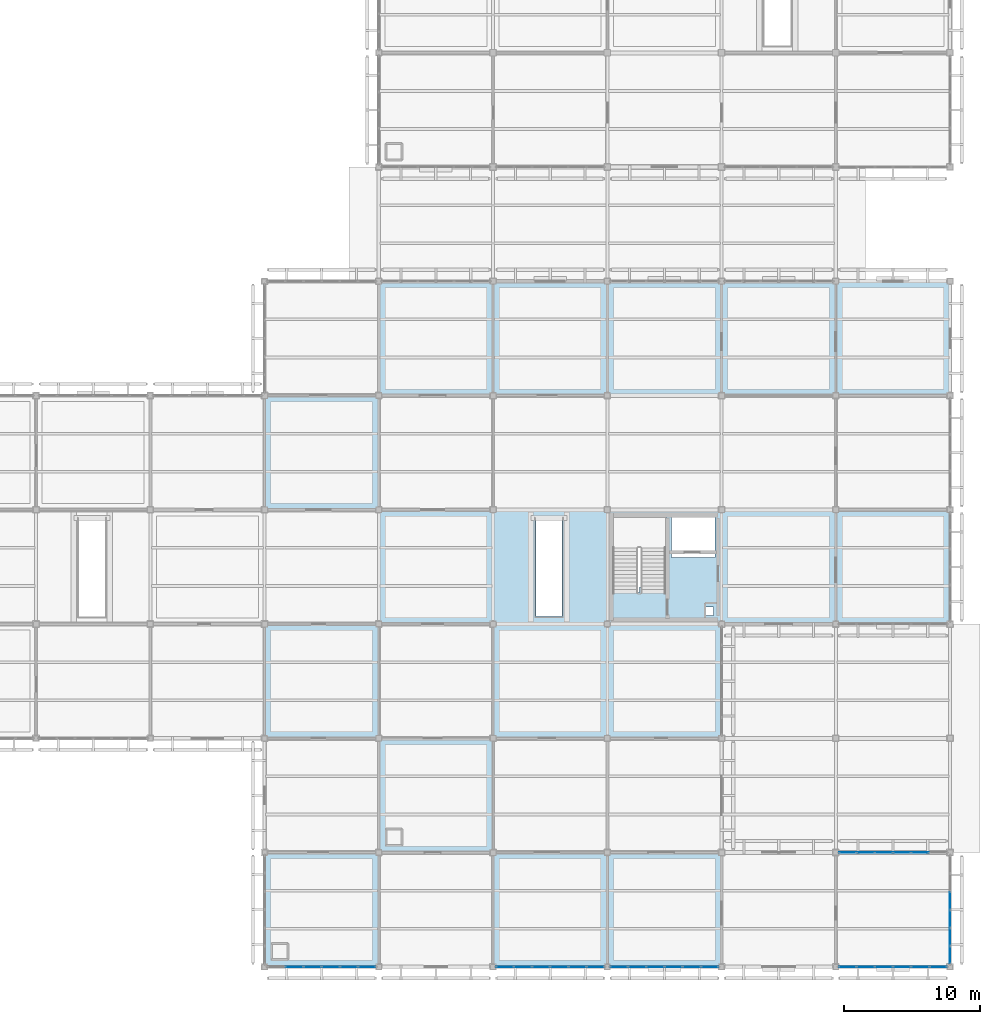
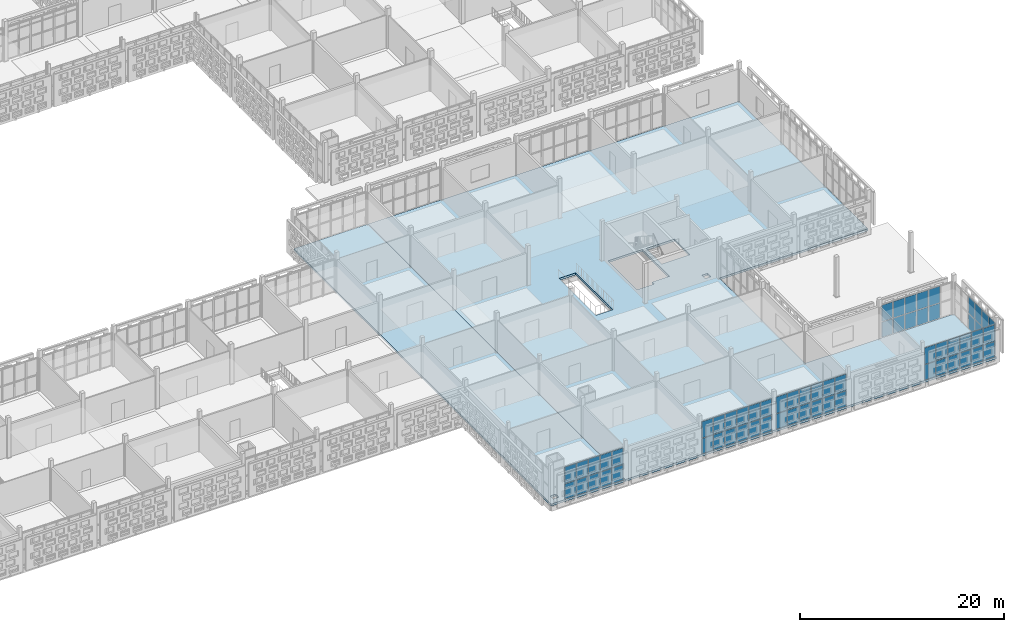
# One storey, part 102 of 203: 64 plates, 2 slabs, 6 elements without a shape of their own.
"""IFC4 building model written with IfcOpenShell, lengths in metres."""

from ifc_helpers import new_model, si_unit, direction, frame, origin, origin_2d, place, context, subcontext, project, spatial, polyline, rectangle, outline, extrude, material, layer, layer_set, type_object, element, aggregate, save


model = new_model("IFC4")

# Units and contexts
model_context = context("Model", 3, precision=1e-05, world=origin(), true_north=direction((0.0, 1.0)))
body_context = subcontext(model_context, "Body", "Model", "MODEL_VIEW")
ifc_project = project(units=[si_unit("LENGTHUNIT", "METRE"), si_unit("AREAUNIT", "SQUARE_METRE"), si_unit("VOLUMEUNIT", "CUBIC_METRE"), si_unit("PLANEANGLEUNIT", "RADIAN"), si_unit("MASSUNIT", "GRAM", prefix="KILO")], contexts=[model_context])

# Site, building, storey
site_placement = place(None, origin())
site = spatial("IfcSite", under=ifc_project, at=site_placement, CompositionType="ELEMENT")
building_placement = place(site_placement, origin())
building = spatial("IfcBuilding", under=site, at=building_placement, Name="Varnapada Polytechnic", CompositionType="ELEMENT")
storey_placement = place(building_placement, frame((0.0, 0.0, 4.800048828125)))
storey = spatial("IfcBuildingStorey", under=building, at=storey_placement, Name="L01", CompositionType="ELEMENT", Elevation=4.800048828125)

# Curtain wall, plates
ifc_material_1 = material(Name="Double low-E laminated glass", Category="glass")
ifc_layer_1 = layer(ifc_material_1, 0.179931640625)
ifc_layer_set_1 = layer_set([ifc_layer_1], Name="Double low-E laminated glass")
curtain_wall_type = type_object("IfcCurtainWallType", Name="Curtain Wall CW-04", PredefinedType="NOTDEFINED", material=ifc_layer_set_1)
curtain_wall_1_placement = place(storey_placement, origin())
curtain_wall_1 = element("IfcCurtainWall", 1, at=curtain_wall_1_placement, inside=storey, type_object=curtain_wall_type, Name="L01 unitised curtain wall CW-04 (92)", PredefinedType="NOTDEFINED")
ifc_layer_2 = layer(ifc_material_1, 0.031982421875)
ifc_layer_set_2 = layer_set([ifc_layer_2], Name="Double low-E laminated glass")
plate_type = type_object("IfcPlateType", Name="Curtain Panel PNL-02", PredefinedType="CURTAIN_PANEL", material=ifc_layer_set_2)
plate_1_placement = place(storey_placement, frame((133.53369140625, 0.0, 0.06494140625), z_axis=(0.0, 0.0, 1.0), x_axis=(-1.0, 0.0, 0.0)))
plate_1 = element("IfcPlate", 2, at=plate_1_placement, type_object=plate_type, Name="CW-04 panel 1.1", PredefinedType="CURTAIN_PANEL", context=body_context, shape_type="SweptSolid", body=[
    extrude(rectangle(XDim=1.242431640625, YDim=0.031982421875, at=origin_2d()), origin(), (0.0, 0.0, 1.0), 1.80322265625),
])
plate_2_placement = place(storey_placement, frame((133.53369140625, 0.0, 1.93310546875), z_axis=(0.0, 0.0, 1.0), x_axis=(-1.0, 0.0, 0.0)))
plate_2 = element("IfcPlate", 3, at=plate_2_placement, type_object=plate_type, Name="CW-04 panel 1.2", PredefinedType="CURTAIN_PANEL", context=body_context, shape_type="SweptSolid", body=[
    extrude(rectangle(XDim=1.242431640625, YDim=0.031982421875, at=origin_2d()), origin(), (0.0, 0.0, 1.0), 1.961669921875),
])
plate_3_placement = place(storey_placement, frame((132.2099609375, 0.0, 0.06494140625), z_axis=(0.0, 0.0, 1.0), x_axis=(-1.0, 0.0, 0.0)))
plate_3 = element("IfcPlate", 4, at=plate_3_placement, type_object=plate_type, Name="CW-04 panel 2.1", PredefinedType="CURTAIN_PANEL", context=body_context, shape_type="SweptSolid", body=[
    extrude(rectangle(XDim=1.27490234375, YDim=0.031982421875, at=origin_2d()), origin(), (0.0, 0.0, 1.0), 1.80322265625),
])
plate_4_placement = place(storey_placement, frame((132.2099609375, 0.0, 1.93310546875), z_axis=(0.0, 0.0, 1.0), x_axis=(-1.0, 0.0, 0.0)))
plate_4 = element("IfcPlate", 5, at=plate_4_placement, type_object=plate_type, Name="CW-04 panel 2.2", PredefinedType="CURTAIN_PANEL", context=body_context, shape_type="SweptSolid", body=[
    extrude(rectangle(XDim=1.27490234375, YDim=0.031982421875, at=origin_2d()), origin(), (0.0, 0.0, 1.0), 1.961669921875),
])
plate_5_placement = place(storey_placement, frame((130.8701171875, 0.0, 0.06494140625), z_axis=(0.0, 0.0, 1.0), x_axis=(-1.0, 0.0, 0.0)))
plate_5 = element("IfcPlate", 6, at=plate_5_placement, type_object=plate_type, Name="CW-04 panel 3.1", PredefinedType="CURTAIN_PANEL", context=body_context, shape_type="SweptSolid", body=[
    extrude(rectangle(XDim=1.27490234375, YDim=0.031982421875, at=origin_2d()), origin(), (0.0, 0.0, 1.0), 1.80322265625),
])
plate_6_placement = place(storey_placement, frame((130.8701171875, 0.0, 1.93310546875), z_axis=(0.0, 0.0, 1.0), x_axis=(-1.0, 0.0, 0.0)))
plate_6 = element("IfcPlate", 7, at=plate_6_placement, type_object=plate_type, Name="CW-04 panel 3.2", PredefinedType="CURTAIN_PANEL", context=body_context, shape_type="SweptSolid", body=[
    extrude(rectangle(XDim=1.27490234375, YDim=0.031982421875, at=origin_2d()), origin(), (0.0, 0.0, 1.0), 1.961669921875),
])
plate_7_placement = place(storey_placement, frame((129.530029296875, 0.0, 0.06494140625), z_axis=(0.0, 0.0, 1.0), x_axis=(-1.0, 0.0, 0.0)))
plate_7 = element("IfcPlate", 8, at=plate_7_placement, type_object=plate_type, Name="CW-04 panel 4.1", PredefinedType="CURTAIN_PANEL", context=body_context, shape_type="SweptSolid", body=[
    extrude(rectangle(XDim=1.27490234375, YDim=0.031982421875, at=origin_2d()), origin(), (0.0, 0.0, 1.0), 1.80322265625),
])
plate_8_placement = place(storey_placement, frame((129.530029296875, 0.0, 1.93310546875), z_axis=(0.0, 0.0, 1.0), x_axis=(-1.0, 0.0, 0.0)))
plate_8 = element("IfcPlate", 9, at=plate_8_placement, type_object=plate_type, Name="CW-04 panel 4.2", PredefinedType="CURTAIN_PANEL", context=body_context, shape_type="SweptSolid", body=[
    extrude(rectangle(XDim=1.27490234375, YDim=0.031982421875, at=origin_2d()), origin(), (0.0, 0.0, 1.0), 1.961669921875),
])
plate_9_placement = place(storey_placement, frame((128.18994140625, 0.0, 0.06494140625), z_axis=(0.0, 0.0, 1.0), x_axis=(-1.0, 0.0, 0.0)))
plate_9 = element("IfcPlate", 10, at=plate_9_placement, type_object=plate_type, Name="CW-04 panel 5.1", PredefinedType="CURTAIN_PANEL", context=body_context, shape_type="SweptSolid", body=[
    extrude(rectangle(XDim=1.27490234375, YDim=0.031982421875, at=origin_2d()), origin(), (0.0, 0.0, 1.0), 1.80322265625),
])
plate_10_placement = place(storey_placement, frame((128.18994140625, 0.0, 1.93310546875), z_axis=(0.0, 0.0, 1.0), x_axis=(-1.0, 0.0, 0.0)))
plate_10 = element("IfcPlate", 11, at=plate_10_placement, type_object=plate_type, Name="CW-04 panel 5.2", PredefinedType="CURTAIN_PANEL", context=body_context, shape_type="SweptSolid", body=[
    extrude(rectangle(XDim=1.27490234375, YDim=0.031982421875, at=origin_2d()), origin(), (0.0, 0.0, 1.0), 1.961669921875),
])
aggregate(curtain_wall_1, [plate_1, plate_2, plate_3, plate_4, plate_5, plate_6, plate_7, plate_8, plate_9, plate_10])

curtain_wall_2_placement = place(storey_placement, origin())
curtain_wall_2 = element("IfcCurtainWall", 12, at=curtain_wall_2_placement, inside=storey, type_object=curtain_wall_type, Name="L01 unitised curtain wall CW-04 (106)", PredefinedType="NOTDEFINED")
plate_11_placement = place(storey_placement, frame((150.333740234375, 0.0, 0.06494140625), z_axis=(0.0, 0.0, 1.0), x_axis=(-1.0, 0.0, 0.0)))
plate_11 = element("IfcPlate", 13, at=plate_11_placement, type_object=plate_type, Name="CW-04 panel 1.1", PredefinedType="CURTAIN_PANEL", context=body_context, shape_type="SweptSolid", body=[
    extrude(rectangle(XDim=1.242431640625, YDim=0.031982421875, at=origin_2d()), origin(), (0.0, 0.0, 1.0), 1.80322265625),
])
plate_12_placement = place(storey_placement, frame((150.333740234375, 0.0, 1.93310546875), z_axis=(0.0, 0.0, 1.0), x_axis=(-1.0, 0.0, 0.0)))
plate_12 = element("IfcPlate", 14, at=plate_12_placement, type_object=plate_type, Name="CW-04 panel 1.2", PredefinedType="CURTAIN_PANEL", context=body_context, shape_type="SweptSolid", body=[
    extrude(rectangle(XDim=1.242431640625, YDim=0.031982421875, at=origin_2d()), origin(), (0.0, 0.0, 1.0), 1.961669921875),
])
plate_13_placement = place(storey_placement, frame((149.010009765625, 0.0, 0.06494140625), z_axis=(0.0, 0.0, 1.0), x_axis=(-1.0, 0.0, 0.0)))
plate_13 = element("IfcPlate", 15, at=plate_13_placement, type_object=plate_type, Name="CW-04 panel 2.1", PredefinedType="CURTAIN_PANEL", context=body_context, shape_type="SweptSolid", body=[
    extrude(rectangle(XDim=1.27490234375, YDim=0.031982421875, at=origin_2d()), origin(), (0.0, 0.0, 1.0), 1.80322265625),
])
plate_14_placement = place(storey_placement, frame((149.010009765625, 0.0, 1.93310546875), z_axis=(0.0, 0.0, 1.0), x_axis=(-1.0, 0.0, 0.0)))
plate_14 = element("IfcPlate", 16, at=plate_14_placement, type_object=plate_type, Name="CW-04 panel 2.2", PredefinedType="CURTAIN_PANEL", context=body_context, shape_type="SweptSolid", body=[
    extrude(rectangle(XDim=1.27490234375, YDim=0.031982421875, at=origin_2d()), origin(), (0.0, 0.0, 1.0), 1.961669921875),
])
plate_15_placement = place(storey_placement, frame((147.669921875, 0.0, 0.06494140625), z_axis=(0.0, 0.0, 1.0), x_axis=(-1.0, 0.0, 0.0)))
plate_15 = element("IfcPlate", 17, at=plate_15_placement, type_object=plate_type, Name="CW-04 panel 3.1", PredefinedType="CURTAIN_PANEL", context=body_context, shape_type="SweptSolid", body=[
    extrude(rectangle(XDim=1.27490234375, YDim=0.031982421875, at=origin_2d()), origin(), (0.0, 0.0, 1.0), 1.80322265625),
])
plate_16_placement = place(storey_placement, frame((147.669921875, 0.0, 1.93310546875), z_axis=(0.0, 0.0, 1.0), x_axis=(-1.0, 0.0, 0.0)))
plate_16 = element("IfcPlate", 18, at=plate_16_placement, type_object=plate_type, Name="CW-04 panel 3.2", PredefinedType="CURTAIN_PANEL", context=body_context, shape_type="SweptSolid", body=[
    extrude(rectangle(XDim=1.27490234375, YDim=0.031982421875, at=origin_2d()), origin(), (0.0, 0.0, 1.0), 1.961669921875),
])
plate_17_placement = place(storey_placement, frame((146.330078125, 0.0, 0.06494140625), z_axis=(0.0, 0.0, 1.0), x_axis=(-1.0, 0.0, 0.0)))
plate_17 = element("IfcPlate", 19, at=plate_17_placement, type_object=plate_type, Name="CW-04 panel 4.1", PredefinedType="CURTAIN_PANEL", context=body_context, shape_type="SweptSolid", body=[
    extrude(rectangle(XDim=1.27490234375, YDim=0.031982421875, at=origin_2d()), origin(), (0.0, 0.0, 1.0), 1.80322265625),
])
plate_18_placement = place(storey_placement, frame((146.330078125, 0.0, 1.93310546875), z_axis=(0.0, 0.0, 1.0), x_axis=(-1.0, 0.0, 0.0)))
plate_18 = element("IfcPlate", 20, at=plate_18_placement, type_object=plate_type, Name="CW-04 panel 4.2", PredefinedType="CURTAIN_PANEL", context=body_context, shape_type="SweptSolid", body=[
    extrude(rectangle(XDim=1.27490234375, YDim=0.031982421875, at=origin_2d()), origin(), (0.0, 0.0, 1.0), 1.961669921875),
])
plate_19_placement = place(storey_placement, frame((144.989990234375, 0.0, 0.06494140625), z_axis=(0.0, 0.0, 1.0), x_axis=(-1.0, 0.0, 0.0)))
plate_19 = element("IfcPlate", 21, at=plate_19_placement, type_object=plate_type, Name="CW-04 panel 5.1", PredefinedType="CURTAIN_PANEL", context=body_context, shape_type="SweptSolid", body=[
    extrude(rectangle(XDim=1.27490234375, YDim=0.031982421875, at=origin_2d()), origin(), (0.0, 0.0, 1.0), 1.80322265625),
])
plate_20_placement = place(storey_placement, frame((144.989990234375, 0.0, 1.93310546875), z_axis=(0.0, 0.0, 1.0), x_axis=(-1.0, 0.0, 0.0)))
plate_20 = element("IfcPlate", 22, at=plate_20_placement, type_object=plate_type, Name="CW-04 panel 5.2", PredefinedType="CURTAIN_PANEL", context=body_context, shape_type="SweptSolid", body=[
    extrude(rectangle(XDim=1.27490234375, YDim=0.031982421875, at=origin_2d()), origin(), (0.0, 0.0, 1.0), 1.961669921875),
])
plate_21_placement = place(storey_placement, frame((143.666259765625, 0.0, 0.06494140625), z_axis=(0.0, 0.0, 1.0), x_axis=(-1.0, 0.0, 0.0)))
plate_21 = element("IfcPlate", 23, at=plate_21_placement, type_object=plate_type, Name="CW-04 panel 6.1", PredefinedType="CURTAIN_PANEL", context=body_context, shape_type="SweptSolid", body=[
    extrude(rectangle(XDim=1.242431640625, YDim=0.031982421875, at=origin_2d()), origin(), (0.0, 0.0, 1.0), 1.80322265625),
])
plate_22_placement = place(storey_placement, frame((143.666259765625, 0.0, 1.93310546875), z_axis=(0.0, 0.0, 1.0), x_axis=(-1.0, 0.0, 0.0)))
plate_22 = element("IfcPlate", 24, at=plate_22_placement, type_object=plate_type, Name="CW-04 panel 6.2", PredefinedType="CURTAIN_PANEL", context=body_context, shape_type="SweptSolid", body=[
    extrude(rectangle(XDim=1.242431640625, YDim=0.031982421875, at=origin_2d()), origin(), (0.0, 0.0, 1.0), 1.961669921875),
])
aggregate(curtain_wall_2, [plate_11, plate_12, plate_13, plate_14, plate_15, plate_16, plate_17, plate_18, plate_19, plate_20, plate_21, plate_22])

curtain_wall_3_placement = place(storey_placement, origin())
curtain_wall_3 = element("IfcCurtainWall", 25, at=curtain_wall_3_placement, inside=storey, type_object=curtain_wall_type, Name="L01 unitised curtain wall CW-04 (109)", PredefinedType="NOTDEFINED")
plate_23_placement = place(storey_placement, frame((158.733642578125, 0.0, 0.06494140625), z_axis=(0.0, 0.0, 1.0), x_axis=(-1.0, 0.0, 0.0)))
plate_23 = element("IfcPlate", 26, at=plate_23_placement, type_object=plate_type, Name="CW-04 panel 1.1", PredefinedType="CURTAIN_PANEL", context=body_context, shape_type="SweptSolid", body=[
    extrude(rectangle(XDim=1.242431640625, YDim=0.031982421875, at=origin_2d()), origin(), (0.0, 0.0, 1.0), 1.80322265625),
])
plate_24_placement = place(storey_placement, frame((158.733642578125, 0.0, 1.93310546875), z_axis=(0.0, 0.0, 1.0), x_axis=(-1.0, 0.0, 0.0)))
plate_24 = element("IfcPlate", 27, at=plate_24_placement, type_object=plate_type, Name="CW-04 panel 1.2", PredefinedType="CURTAIN_PANEL", context=body_context, shape_type="SweptSolid", body=[
    extrude(rectangle(XDim=1.242431640625, YDim=0.031982421875, at=origin_2d()), origin(), (0.0, 0.0, 1.0), 1.961669921875),
])
plate_25_placement = place(storey_placement, frame((157.409912109375, 0.0, 0.06494140625), z_axis=(0.0, 0.0, 1.0), x_axis=(-1.0, 0.0, 0.0)))
plate_25 = element("IfcPlate", 28, at=plate_25_placement, type_object=plate_type, Name="CW-04 panel 2.1", PredefinedType="CURTAIN_PANEL", context=body_context, shape_type="SweptSolid", body=[
    extrude(rectangle(XDim=1.27490234375, YDim=0.031982421875, at=origin_2d()), origin(), (0.0, 0.0, 1.0), 1.80322265625),
])
plate_26_placement = place(storey_placement, frame((157.409912109375, 0.0, 1.93310546875), z_axis=(0.0, 0.0, 1.0), x_axis=(-1.0, 0.0, 0.0)))
plate_26 = element("IfcPlate", 29, at=plate_26_placement, type_object=plate_type, Name="CW-04 panel 2.2", PredefinedType="CURTAIN_PANEL", context=body_context, shape_type="SweptSolid", body=[
    extrude(rectangle(XDim=1.27490234375, YDim=0.031982421875, at=origin_2d()), origin(), (0.0, 0.0, 1.0), 1.961669921875),
])
plate_27_placement = place(storey_placement, frame((156.070068359375, 0.0, 0.06494140625), z_axis=(0.0, 0.0, 1.0), x_axis=(-1.0, 0.0, 0.0)))
plate_27 = element("IfcPlate", 30, at=plate_27_placement, type_object=plate_type, Name="CW-04 panel 3.1", PredefinedType="CURTAIN_PANEL", context=body_context, shape_type="SweptSolid", body=[
    extrude(rectangle(XDim=1.27490234375, YDim=0.031982421875, at=origin_2d()), origin(), (0.0, 0.0, 1.0), 1.80322265625),
])
plate_28_placement = place(storey_placement, frame((156.070068359375, 0.0, 1.93310546875), z_axis=(0.0, 0.0, 1.0), x_axis=(-1.0, 0.0, 0.0)))
plate_28 = element("IfcPlate", 31, at=plate_28_placement, type_object=plate_type, Name="CW-04 panel 3.2", PredefinedType="CURTAIN_PANEL", context=body_context, shape_type="SweptSolid", body=[
    extrude(rectangle(XDim=1.27490234375, YDim=0.031982421875, at=origin_2d()), origin(), (0.0, 0.0, 1.0), 1.961669921875),
])
plate_29_placement = place(storey_placement, frame((154.72998046875, 0.0, 0.06494140625), z_axis=(0.0, 0.0, 1.0), x_axis=(-1.0, 0.0, 0.0)))
plate_29 = element("IfcPlate", 32, at=plate_29_placement, type_object=plate_type, Name="CW-04 panel 4.1", PredefinedType="CURTAIN_PANEL", context=body_context, shape_type="SweptSolid", body=[
    extrude(rectangle(XDim=1.27490234375, YDim=0.031982421875, at=origin_2d()), origin(), (0.0, 0.0, 1.0), 1.80322265625),
])
plate_30_placement = place(storey_placement, frame((154.72998046875, 0.0, 1.93310546875), z_axis=(0.0, 0.0, 1.0), x_axis=(-1.0, 0.0, 0.0)))
plate_30 = element("IfcPlate", 33, at=plate_30_placement, type_object=plate_type, Name="CW-04 panel 4.2", PredefinedType="CURTAIN_PANEL", context=body_context, shape_type="SweptSolid", body=[
    extrude(rectangle(XDim=1.27490234375, YDim=0.031982421875, at=origin_2d()), origin(), (0.0, 0.0, 1.0), 1.961669921875),
])
plate_31_placement = place(storey_placement, frame((153.389892578125, 0.0, 0.06494140625), z_axis=(0.0, 0.0, 1.0), x_axis=(-1.0, 0.0, 0.0)))
plate_31 = element("IfcPlate", 34, at=plate_31_placement, type_object=plate_type, Name="CW-04 panel 5.1", PredefinedType="CURTAIN_PANEL", context=body_context, shape_type="SweptSolid", body=[
    extrude(rectangle(XDim=1.27490234375, YDim=0.031982421875, at=origin_2d()), origin(), (0.0, 0.0, 1.0), 1.80322265625),
])
plate_32_placement = place(storey_placement, frame((153.389892578125, 0.0, 1.93310546875), z_axis=(0.0, 0.0, 1.0), x_axis=(-1.0, 0.0, 0.0)))
plate_32 = element("IfcPlate", 35, at=plate_32_placement, type_object=plate_type, Name="CW-04 panel 5.2", PredefinedType="CURTAIN_PANEL", context=body_context, shape_type="SweptSolid", body=[
    extrude(rectangle(XDim=1.27490234375, YDim=0.031982421875, at=origin_2d()), origin(), (0.0, 0.0, 1.0), 1.961669921875),
])
plate_33_placement = place(storey_placement, frame((152.066162109375, 0.0, 0.06494140625), z_axis=(0.0, 0.0, 1.0), x_axis=(-1.0, 0.0, 0.0)))
plate_33 = element("IfcPlate", 36, at=plate_33_placement, type_object=plate_type, Name="CW-04 panel 6.1", PredefinedType="CURTAIN_PANEL", context=body_context, shape_type="SweptSolid", body=[
    extrude(rectangle(XDim=1.242431640625, YDim=0.031982421875, at=origin_2d()), origin(), (0.0, 0.0, 1.0), 1.80322265625),
])
plate_34_placement = place(storey_placement, frame((152.066162109375, 0.0, 1.93310546875), z_axis=(0.0, 0.0, 1.0), x_axis=(-1.0, 0.0, 0.0)))
plate_34 = element("IfcPlate", 37, at=plate_34_placement, type_object=plate_type, Name="CW-04 panel 6.2", PredefinedType="CURTAIN_PANEL", context=body_context, shape_type="SweptSolid", body=[
    extrude(rectangle(XDim=1.242431640625, YDim=0.031982421875, at=origin_2d()), origin(), (0.0, 0.0, 1.0), 1.961669921875),
])
aggregate(curtain_wall_3, [plate_23, plate_24, plate_25, plate_26, plate_27, plate_28, plate_29, plate_30, plate_31, plate_32, plate_33, plate_34])

curtain_wall_4_placement = place(storey_placement, origin())
curtain_wall_4 = element("IfcCurtainWall", 38, at=curtain_wall_4_placement, inside=storey, type_object=curtain_wall_type, Name="L01 unitised curtain wall CW-04 (115)", PredefinedType="NOTDEFINED")
plate_35_placement = place(storey_placement, frame((175.53369140625, 0.0, 0.06494140625), z_axis=(0.0, 0.0, 1.0), x_axis=(-1.0, 0.0, 0.0)))
plate_35 = element("IfcPlate", 39, at=plate_35_placement, type_object=plate_type, Name="CW-04 panel 1.1", PredefinedType="CURTAIN_PANEL", context=body_context, shape_type="SweptSolid", body=[
    extrude(rectangle(XDim=1.242431640625, YDim=0.031982421875, at=origin_2d()), origin(), (0.0, 0.0, 1.0), 1.80322265625),
])
plate_36_placement = place(storey_placement, frame((175.53369140625, 0.0, 1.93310546875), z_axis=(0.0, 0.0, 1.0), x_axis=(-1.0, 0.0, 0.0)))
plate_36 = element("IfcPlate", 40, at=plate_36_placement, type_object=plate_type, Name="CW-04 panel 1.2", PredefinedType="CURTAIN_PANEL", context=body_context, shape_type="SweptSolid", body=[
    extrude(rectangle(XDim=1.242431640625, YDim=0.031982421875, at=origin_2d()), origin(), (0.0, 0.0, 1.0), 1.961669921875),
])
plate_37_placement = place(storey_placement, frame((174.2099609375, 0.0, 0.06494140625), z_axis=(0.0, 0.0, 1.0), x_axis=(-1.0, 0.0, 0.0)))
plate_37 = element("IfcPlate", 41, at=plate_37_placement, type_object=plate_type, Name="CW-04 panel 2.1", PredefinedType="CURTAIN_PANEL", context=body_context, shape_type="SweptSolid", body=[
    extrude(rectangle(XDim=1.27490234375, YDim=0.031982421875, at=origin_2d()), origin(), (0.0, 0.0, 1.0), 1.80322265625),
])
plate_38_placement = place(storey_placement, frame((174.2099609375, 0.0, 1.93310546875), z_axis=(0.0, 0.0, 1.0), x_axis=(-1.0, 0.0, 0.0)))
plate_38 = element("IfcPlate", 42, at=plate_38_placement, type_object=plate_type, Name="CW-04 panel 2.2", PredefinedType="CURTAIN_PANEL", context=body_context, shape_type="SweptSolid", body=[
    extrude(rectangle(XDim=1.27490234375, YDim=0.031982421875, at=origin_2d()), origin(), (0.0, 0.0, 1.0), 1.961669921875),
])
plate_39_placement = place(storey_placement, frame((172.8701171875, 0.0, 0.06494140625), z_axis=(0.0, 0.0, 1.0), x_axis=(-1.0, 0.0, 0.0)))
plate_39 = element("IfcPlate", 43, at=plate_39_placement, type_object=plate_type, Name="CW-04 panel 3.1", PredefinedType="CURTAIN_PANEL", context=body_context, shape_type="SweptSolid", body=[
    extrude(rectangle(XDim=1.27490234375, YDim=0.031982421875, at=origin_2d()), origin(), (0.0, 0.0, 1.0), 1.80322265625),
])
plate_40_placement = place(storey_placement, frame((172.8701171875, 0.0, 1.93310546875), z_axis=(0.0, 0.0, 1.0), x_axis=(-1.0, 0.0, 0.0)))
plate_40 = element("IfcPlate", 44, at=plate_40_placement, type_object=plate_type, Name="CW-04 panel 3.2", PredefinedType="CURTAIN_PANEL", context=body_context, shape_type="SweptSolid", body=[
    extrude(rectangle(XDim=1.27490234375, YDim=0.031982421875, at=origin_2d()), origin(), (0.0, 0.0, 1.0), 1.961669921875),
])
plate_41_placement = place(storey_placement, frame((171.530029296875, 0.0, 0.06494140625), z_axis=(0.0, 0.0, 1.0), x_axis=(-1.0, 0.0, 0.0)))
plate_41 = element("IfcPlate", 45, at=plate_41_placement, type_object=plate_type, Name="CW-04 panel 4.1", PredefinedType="CURTAIN_PANEL", context=body_context, shape_type="SweptSolid", body=[
    extrude(rectangle(XDim=1.27490234375, YDim=0.031982421875, at=origin_2d()), origin(), (0.0, 0.0, 1.0), 1.80322265625),
])
plate_42_placement = place(storey_placement, frame((171.530029296875, 0.0, 1.93310546875), z_axis=(0.0, 0.0, 1.0), x_axis=(-1.0, 0.0, 0.0)))
plate_42 = element("IfcPlate", 46, at=plate_42_placement, type_object=plate_type, Name="CW-04 panel 4.2", PredefinedType="CURTAIN_PANEL", context=body_context, shape_type="SweptSolid", body=[
    extrude(rectangle(XDim=1.27490234375, YDim=0.031982421875, at=origin_2d()), origin(), (0.0, 0.0, 1.0), 1.961669921875),
])
plate_43_placement = place(storey_placement, frame((170.18994140625, 0.0, 0.06494140625), z_axis=(0.0, 0.0, 1.0), x_axis=(-1.0, 0.0, 0.0)))
plate_43 = element("IfcPlate", 47, at=plate_43_placement, type_object=plate_type, Name="CW-04 panel 5.1", PredefinedType="CURTAIN_PANEL", context=body_context, shape_type="SweptSolid", body=[
    extrude(rectangle(XDim=1.27490234375, YDim=0.031982421875, at=origin_2d()), origin(), (0.0, 0.0, 1.0), 1.80322265625),
])
plate_44_placement = place(storey_placement, frame((170.18994140625, 0.0, 1.93310546875), z_axis=(0.0, 0.0, 1.0), x_axis=(-1.0, 0.0, 0.0)))
plate_44 = element("IfcPlate", 48, at=plate_44_placement, type_object=plate_type, Name="CW-04 panel 5.2", PredefinedType="CURTAIN_PANEL", context=body_context, shape_type="SweptSolid", body=[
    extrude(rectangle(XDim=1.27490234375, YDim=0.031982421875, at=origin_2d()), origin(), (0.0, 0.0, 1.0), 1.961669921875),
])
plate_45_placement = place(storey_placement, frame((168.8662109375, 0.0, 0.06494140625), z_axis=(0.0, 0.0, 1.0), x_axis=(-1.0, 0.0, 0.0)))
plate_45 = element("IfcPlate", 49, at=plate_45_placement, type_object=plate_type, Name="CW-04 panel 6.1", PredefinedType="CURTAIN_PANEL", context=body_context, shape_type="SweptSolid", body=[
    extrude(rectangle(XDim=1.242431640625, YDim=0.031982421875, at=origin_2d()), origin(), (0.0, 0.0, 1.0), 1.80322265625),
])
plate_46_placement = place(storey_placement, frame((168.8662109375, 0.0, 1.93310546875), z_axis=(0.0, 0.0, 1.0), x_axis=(-1.0, 0.0, 0.0)))
plate_46 = element("IfcPlate", 50, at=plate_46_placement, type_object=plate_type, Name="CW-04 panel 6.2", PredefinedType="CURTAIN_PANEL", context=body_context, shape_type="SweptSolid", body=[
    extrude(rectangle(XDim=1.242431640625, YDim=0.031982421875, at=origin_2d()), origin(), (0.0, 0.0, 1.0), 1.961669921875),
])
aggregate(curtain_wall_4, [plate_35, plate_36, plate_37, plate_38, plate_39, plate_40, plate_41, plate_42, plate_43, plate_44, plate_45, plate_46])

curtain_wall_5_placement = place(storey_placement, origin())
curtain_wall_5 = element("IfcCurtainWall", 51, at=curtain_wall_5_placement, inside=storey, type_object=curtain_wall_type, Name="L01 unitised curtain wall CW-04 (116)", PredefinedType="NOTDEFINED")
plate_47_placement = place(storey_placement, frame((168.873779296875, 8.39990234375, 0.06494140625), z_axis=(0.0, 0.0, 1.0), x_axis=(1.0, 0.0, 0.0)))
plate_47 = element("IfcPlate", 52, at=plate_47_placement, type_object=plate_type, Name="CW-04 panel 1.1", PredefinedType="CURTAIN_PANEL", context=body_context, shape_type="SweptSolid", body=[
    extrude(rectangle(XDim=1.237548828125, YDim=0.031982421875, at=origin_2d()), origin(), (0.0, 0.0, 1.0), 1.80322265625),
])
plate_48_placement = place(storey_placement, frame((168.873779296875, 8.39990234375, 1.93310546875), z_axis=(0.0, 0.0, 1.0), x_axis=(1.0, 0.0, 0.0)))
plate_48 = element("IfcPlate", 53, at=plate_48_placement, type_object=plate_type, Name="CW-04 panel 1.2", PredefinedType="CURTAIN_PANEL", context=body_context, shape_type="SweptSolid", body=[
    extrude(rectangle(XDim=1.237548828125, YDim=0.031982421875, at=origin_2d()), origin(), (0.0, 0.0, 1.0), 1.961669921875),
])
plate_49_placement = place(storey_placement, frame((170.1923828125, 8.39990234375, 0.06494140625), z_axis=(0.0, 0.0, 1.0), x_axis=(1.0, 0.0, 0.0)))
plate_49 = element("IfcPlate", 54, at=plate_49_placement, type_object=plate_type, Name="CW-04 panel 2.1", PredefinedType="CURTAIN_PANEL", context=body_context, shape_type="SweptSolid", body=[
    extrude(rectangle(XDim=1.27001953125, YDim=0.031982421875, at=origin_2d()), origin(), (0.0, 0.0, 1.0), 1.80322265625),
])
plate_50_placement = place(storey_placement, frame((170.1923828125, 8.39990234375, 1.93310546875), z_axis=(0.0, 0.0, 1.0), x_axis=(1.0, 0.0, 0.0)))
plate_50 = element("IfcPlate", 55, at=plate_50_placement, type_object=plate_type, Name="CW-04 panel 2.2", PredefinedType="CURTAIN_PANEL", context=body_context, shape_type="SweptSolid", body=[
    extrude(rectangle(XDim=1.27001953125, YDim=0.031982421875, at=origin_2d()), origin(), (0.0, 0.0, 1.0), 1.961669921875),
])
plate_51_placement = place(storey_placement, frame((171.527587890625, 8.39990234375, 0.06494140625), z_axis=(0.0, 0.0, 1.0), x_axis=(1.0, 0.0, 0.0)))
plate_51 = element("IfcPlate", 56, at=plate_51_placement, type_object=plate_type, Name="CW-04 panel 3.1", PredefinedType="CURTAIN_PANEL", context=body_context, shape_type="SweptSolid", body=[
    extrude(rectangle(XDim=1.27001953125, YDim=0.031982421875, at=origin_2d()), origin(), (0.0, 0.0, 1.0), 1.80322265625),
])
plate_52_placement = place(storey_placement, frame((171.527587890625, 8.39990234375, 1.93310546875), z_axis=(0.0, 0.0, 1.0), x_axis=(1.0, 0.0, 0.0)))
plate_52 = element("IfcPlate", 57, at=plate_52_placement, type_object=plate_type, Name="CW-04 panel 3.2", PredefinedType="CURTAIN_PANEL", context=body_context, shape_type="SweptSolid", body=[
    extrude(rectangle(XDim=1.27001953125, YDim=0.031982421875, at=origin_2d()), origin(), (0.0, 0.0, 1.0), 1.961669921875),
])
plate_53_placement = place(storey_placement, frame((172.862548828125, 8.39990234375, 0.06494140625), z_axis=(0.0, 0.0, 1.0), x_axis=(1.0, 0.0, 0.0)))
plate_53 = element("IfcPlate", 58, at=plate_53_placement, type_object=plate_type, Name="CW-04 panel 4.1", PredefinedType="CURTAIN_PANEL", context=body_context, shape_type="SweptSolid", body=[
    extrude(rectangle(XDim=1.27001953125, YDim=0.031982421875, at=origin_2d()), origin(), (0.0, 0.0, 1.0), 1.80322265625),
])
plate_54_placement = place(storey_placement, frame((172.862548828125, 8.39990234375, 1.93310546875), z_axis=(0.0, 0.0, 1.0), x_axis=(1.0, 0.0, 0.0)))
plate_54 = element("IfcPlate", 59, at=plate_54_placement, type_object=plate_type, Name="CW-04 panel 4.2", PredefinedType="CURTAIN_PANEL", context=body_context, shape_type="SweptSolid", body=[
    extrude(rectangle(XDim=1.27001953125, YDim=0.031982421875, at=origin_2d()), origin(), (0.0, 0.0, 1.0), 1.961669921875),
])
plate_55_placement = place(storey_placement, frame((174.197509765625, 8.39990234375, 0.06494140625), z_axis=(0.0, 0.0, 1.0), x_axis=(1.0, 0.0, 0.0)))
plate_55 = element("IfcPlate", 60, at=plate_55_placement, type_object=plate_type, Name="CW-04 panel 5.1", PredefinedType="CURTAIN_PANEL", context=body_context, shape_type="SweptSolid", body=[
    extrude(rectangle(XDim=1.27001953125, YDim=0.031982421875, at=origin_2d()), origin(), (0.0, 0.0, 1.0), 1.80322265625),
])
plate_56_placement = place(storey_placement, frame((174.197509765625, 8.39990234375, 1.93310546875), z_axis=(0.0, 0.0, 1.0), x_axis=(1.0, 0.0, 0.0)))
plate_56 = element("IfcPlate", 61, at=plate_56_placement, type_object=plate_type, Name="CW-04 panel 5.2", PredefinedType="CURTAIN_PANEL", context=body_context, shape_type="SweptSolid", body=[
    extrude(rectangle(XDim=1.27001953125, YDim=0.031982421875, at=origin_2d()), origin(), (0.0, 0.0, 1.0), 1.961669921875),
])
aggregate(curtain_wall_5, [plate_47, plate_48, plate_49, plate_50, plate_51, plate_52, plate_53, plate_54, plate_55, plate_56])

curtain_wall_6_placement = place(storey_placement, origin())
curtain_wall_6 = element("IfcCurtainWall", 62, at=curtain_wall_6_placement, inside=storey, type_object=curtain_wall_type, Name="L01 unitised curtain wall CW-04 (117)", PredefinedType="NOTDEFINED")
plate_57_placement = place(storey_placement, frame((176.39990234375, 4.8583984375, 0.06494140625), z_axis=(0.0, 0.0, 1.0), x_axis=(0.0, -1.0, 0.0)))
plate_57 = element("IfcPlate", 63, at=plate_57_placement, type_object=plate_type, Name="CW-04 panel 3.1", PredefinedType="CURTAIN_PANEL", context=body_context, shape_type="SweptSolid", body=[
    extrude(rectangle(XDim=1.271728515625, YDim=0.031982421875, at=origin_2d()), origin(), (0.0, 0.0, 1.0), 1.80322265625),
])
plate_58_placement = place(storey_placement, frame((176.39990234375, 4.8583984375, 1.93310546875), z_axis=(0.0, 0.0, 1.0), x_axis=(0.0, -1.0, 0.0)))
plate_58 = element("IfcPlate", 64, at=plate_58_placement, type_object=plate_type, Name="CW-04 panel 3.2", PredefinedType="CURTAIN_PANEL", context=body_context, shape_type="SweptSolid", body=[
    extrude(rectangle(XDim=1.271728515625, YDim=0.031982421875, at=origin_2d()), origin(), (0.0, 0.0, 1.0), 1.961669921875),
])
plate_59_placement = place(storey_placement, frame((176.39990234375, 3.521728515625, 0.06494140625), z_axis=(0.0, 0.0, 1.0), x_axis=(0.0, -1.0, 0.0)))
plate_59 = element("IfcPlate", 65, at=plate_59_placement, type_object=plate_type, Name="CW-04 panel 4.1", PredefinedType="CURTAIN_PANEL", context=body_context, shape_type="SweptSolid", body=[
    extrude(rectangle(XDim=1.271728515625, YDim=0.031982421875, at=origin_2d()), origin(), (0.0, 0.0, 1.0), 1.80322265625),
])
plate_60_placement = place(storey_placement, frame((176.39990234375, 3.521728515625, 1.93310546875), z_axis=(0.0, 0.0, 1.0), x_axis=(0.0, -1.0, 0.0)))
plate_60 = element("IfcPlate", 66, at=plate_60_placement, type_object=plate_type, Name="CW-04 panel 4.2", PredefinedType="CURTAIN_PANEL", context=body_context, shape_type="SweptSolid", body=[
    extrude(rectangle(XDim=1.271728515625, YDim=0.031982421875, at=origin_2d()), origin(), (0.0, 0.0, 1.0), 1.961669921875),
])
plate_61_placement = place(storey_placement, frame((176.39990234375, 2.18505859375, 0.06494140625), z_axis=(0.0, 0.0, 1.0), x_axis=(0.0, -1.0, 0.0)))
plate_61 = element("IfcPlate", 67, at=plate_61_placement, type_object=plate_type, Name="CW-04 panel 5.1", PredefinedType="CURTAIN_PANEL", context=body_context, shape_type="SweptSolid", body=[
    extrude(rectangle(XDim=1.271728515625, YDim=0.031982421875, at=origin_2d()), origin(), (0.0, 0.0, 1.0), 1.80322265625),
])
plate_62_placement = place(storey_placement, frame((176.39990234375, 2.18505859375, 1.93310546875), z_axis=(0.0, 0.0, 1.0), x_axis=(0.0, -1.0, 0.0)))
plate_62 = element("IfcPlate", 68, at=plate_62_placement, type_object=plate_type, Name="CW-04 panel 5.2", PredefinedType="CURTAIN_PANEL", context=body_context, shape_type="SweptSolid", body=[
    extrude(rectangle(XDim=1.271728515625, YDim=0.031982421875, at=origin_2d()), origin(), (0.0, 0.0, 1.0), 1.961669921875),
])
plate_63_placement = place(storey_placement, frame((176.39990234375, 0.864501953125, 0.06494140625), z_axis=(0.0, 0.0, 1.0), x_axis=(0.0, -1.0, 0.0)))
plate_63 = element("IfcPlate", 69, at=plate_63_placement, type_object=plate_type, Name="CW-04 panel 6.1", PredefinedType="CURTAIN_PANEL", context=body_context, shape_type="SweptSolid", body=[
    extrude(rectangle(XDim=1.2392578125, YDim=0.031982421875, at=origin_2d()), origin(), (0.0, 0.0, 1.0), 1.80322265625),
])
plate_64_placement = place(storey_placement, frame((176.39990234375, 0.864501953125, 1.93310546875), z_axis=(0.0, 0.0, 1.0), x_axis=(0.0, -1.0, 0.0)))
plate_64 = element("IfcPlate", 70, at=plate_64_placement, type_object=plate_type, Name="CW-04 panel 6.2", PredefinedType="CURTAIN_PANEL", context=body_context, shape_type="SweptSolid", body=[
    extrude(rectangle(XDim=1.2392578125, YDim=0.031982421875, at=origin_2d()), origin(), (0.0, 0.0, 1.0), 1.961669921875),
])
aggregate(curtain_wall_6, [plate_57, plate_58, plate_59, plate_60, plate_61, plate_62, plate_63, plate_64])

# Slabs
ifc_material_2 = material(Name="Cross-laminated timber CLT C24", Category="wood")
ifc_layer_3 = layer(ifc_material_2, 0.25)
ifc_layer_set_3 = layer_set([ifc_layer_3], Name="Cross-laminated timber CLT C24")
slab_type = type_object("IfcSlabType", Name="L01/L02 library & union CLT composite slab SL-05", PredefinedType="FLOOR", material=ifc_layer_set_3)
slab_1_placement = place(storey_placement, frame((0.0, 0.0, -0.25)))
element("IfcSlab", 71, at=slab_1_placement, inside=storey, type_object=slab_type, Name="L01 V3 slab 1.1", PredefinedType="FLOOR", context=body_context, shape_type="SweptSolid", body=[
    extrude(outline(polyline([(126.0, 0.0), (126.0, 8.39990234375), (126.0, 16.800048828125), (126.0, 25.199951171875), (126.0, 33.60009765625), (126.0, 42.0), (126.0, 50.39990234375), (134.39990234375, 50.39990234375), (134.39990234375, 42.0), (134.39990234375, 33.60009765625), (134.39990234375, 25.199951171875), (134.39990234375, 16.800048828125), (134.39990234375, 8.39990234375), (134.39990234375, 0.0), (126.0, 0.0)]), holes=[polyline([(126.64990234375, 0.64990234375), (127.25, 0.64990234375), (127.25, 1.25), (126.64990234375, 1.25), (126.64990234375, 0.64990234375)])]), origin(), (0.0, 0.0, 1.0), 0.25),
])
slab_2_placement = place(storey_placement, frame((0.0, 0.0, -0.25)))
element("IfcSlab", 72, at=slab_2_placement, inside=storey, type_object=slab_type, Name="L01 V3 slab 2.1", PredefinedType="FLOOR", context=body_context, shape_type="SweptSolid", body=[
    extrude(outline(polyline([(134.39990234375, 25.199951171875), (134.39990234375, 33.60009765625), (134.39990234375, 42.0), (134.39990234375, 50.39990234375), (142.800048828125, 50.39990234375), (151.199951171875, 50.39990234375), (159.60009765625, 50.39990234375), (168.0, 50.39990234375), (176.39990234375, 50.39990234375), (176.39990234375, 42.0), (176.39990234375, 33.60009765625), (176.39990234375, 25.199951171875), (168.0, 25.199951171875), (159.60009765625, 25.199951171875), (159.60009765625, 16.800048828125), (159.60009765625, 8.39990234375), (168.0, 8.39990234375), (176.39990234375, 8.39990234375), (176.39990234375, 0.0), (168.0, 0.0), (159.60009765625, 0.0), (151.199951171875, 0.0), (142.800048828125, 0.0), (134.39990234375, 0.0), (134.39990234375, 8.39990234375), (134.39990234375, 16.800048828125), (134.39990234375, 25.199951171875)]), holes=[polyline([(151.60009765625, 27.510009765625), (153.550048828125, 27.510009765625), (153.550048828125, 27.909912109375), (155.5, 27.909912109375), (155.5, 33.199951171875), (151.60009765625, 33.199951171875), (151.60009765625, 27.510009765625)]), polyline([(145.949951171875, 25.75), (147.85009765625, 25.75), (147.85009765625, 33.0), (145.949951171875, 33.0), (145.949951171875, 25.75)]), polyline([(155.89990234375, 30.10009765625), (159.10009765625, 30.10009765625), (159.10009765625, 33.14990234375), (155.89990234375, 33.14990234375), (155.89990234375, 30.10009765625)]), polyline([(158.35009765625, 25.820068359375), (159.0, 25.820068359375), (159.0, 26.469970703125), (158.35009765625, 26.469970703125), (158.35009765625, 25.820068359375)])]), origin(), (0.0, 0.0, 1.0), 0.25),
])

save(model, "model.ifc")
